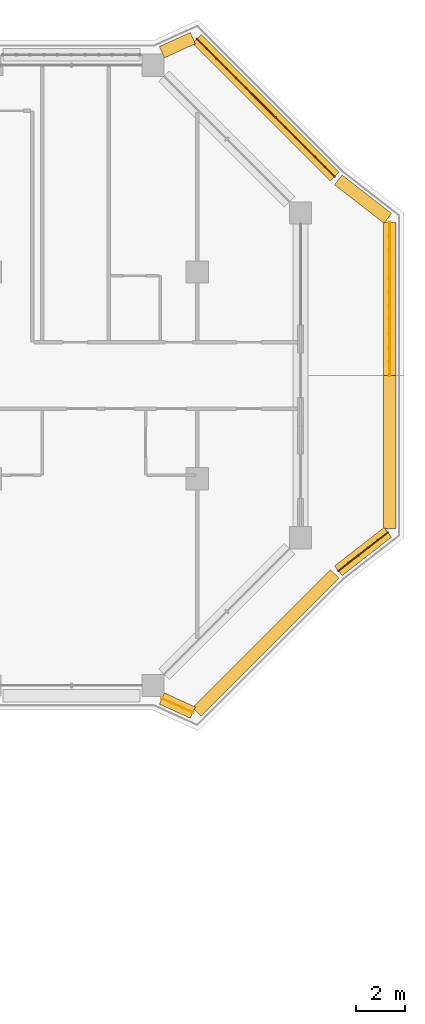
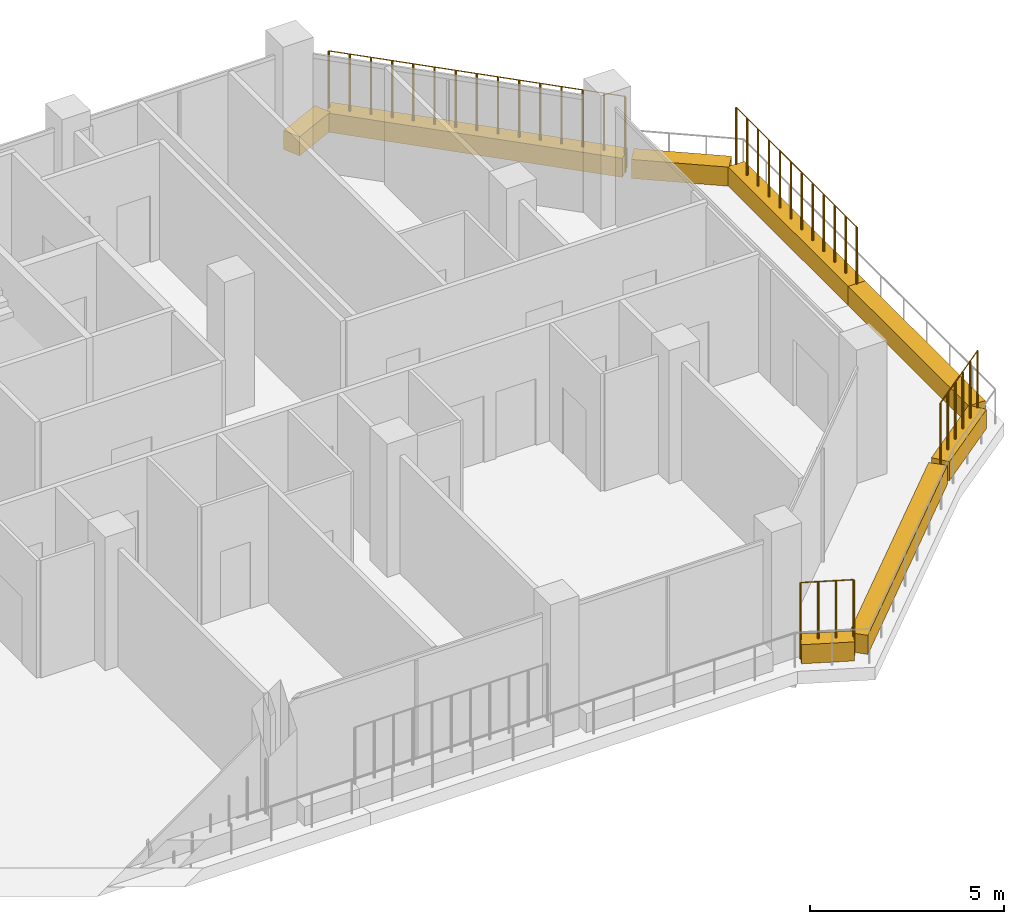
# One storey, part 23 of 23: 8 coverings, 4 railings.
"""IFC4 building model written with IfcOpenShell, lengths in metres."""

from ifc_helpers import new_model, si_unit, direction, frame, origin, origin_2d, place, context, subcontext, project, spatial, rectangle, circle, extrude, material, material_profile, profile_set, type_object, element, save


model = new_model("IFC4")

# Units and contexts
model_context = context("Model", 3, precision=1e-05, world=origin(), true_north=direction((0.0, 1.0)))
body_context = subcontext(model_context, "Body", "Model", "MODEL_VIEW")
ifc_project = project(units=[si_unit("LENGTHUNIT", "METRE"), si_unit("AREAUNIT", "SQUARE_METRE"), si_unit("VOLUMEUNIT", "CUBIC_METRE"), si_unit("PLANEANGLEUNIT", "RADIAN"), si_unit("MASSUNIT", "GRAM", prefix="KILO")], contexts=[model_context])

# Site, building, storey
site_placement = place(None, origin())
site = spatial("IfcSite", under=ifc_project, at=site_placement, CompositionType="ELEMENT")
building_placement = place(site_placement, origin())
building = spatial("IfcBuilding", under=site, at=building_placement, Name="Kawkab Arch Medical Tower", CompositionType="ELEMENT")
storey_placement = place(building_placement, frame((0.0, 0.0, 268.39990234375)))
storey = spatial("IfcBuildingStorey", under=building, at=storey_placement, Name="L62", CompositionType="ELEMENT", Elevation=268.39990234375)

# Coverings
ifc_material_1 = material(Name="Planting soil in a precast trough", Category="concrete")
ifc_material_profile = material_profile(ifc_material_1, rectangle(XDim=0.5, YDim=0.60009765625, at=origin_2d()), Name="Trough 500x600")
ifc_profile_set = profile_set([ifc_material_profile], Name="Planting soil in a precast trough")
covering_type = type_object("IfcCoveringType", Name="Planter trough 500 x 600", PredefinedType="USERDEFINED", material=ifc_profile_set)
covering_1_placement = place(storey_placement, frame((57.366943359375, 0.530029296875, 0.300048828125), z_axis=(0.909831953447, 0.41497688669, 0.0), x_axis=(-0.41497688669, 0.909831953447, 0.0)))
element("IfcCovering", 1, at=covering_1_placement, inside=storey, type_object=covering_type, Name="Planter L62.LOG-01-01.24", ObjectType="PLANTER", PredefinedType="USERDEFINED", context=body_context, shape_type="SweptSolid", body=[
    extrude(rectangle(XDim=0.5, YDim=0.60009765625, at=origin_2d()), origin(), (0.0, 0.0, 1.0), 1.37841796875),
])
covering_2_placement = place(storey_placement, frame((58.782958984375, 1.072998046875, 0.300048828125), z_axis=(0.707106781187, -0.707106781187, 0.0), x_axis=(0.707106781187, 0.707106781187, 0.0)))
element("IfcCovering", 2, at=covering_2_placement, inside=storey, type_object=covering_type, Name="Planter L62.LOG-01-01.25", ObjectType="PLANTER", PredefinedType="USERDEFINED", context=body_context, shape_type="SweptSolid", body=[
    extrude(rectangle(XDim=0.5, YDim=0.60009765625, at=origin_2d()), origin(), (0.0, 0.0, 1.0), 7.919677734375),
])
covering_3_placement = place(storey_placement, frame((64.531982421875, -4.658935546875, 0.300048828125), z_axis=(0.789274742246, -0.61404021143, 0.0), x_axis=(0.61404021143, 0.789274742246, 0.0)))
element("IfcCovering", 3, at=covering_3_placement, inside=storey, type_object=covering_type, Name="Planter L62.LOG-01-01.26", ObjectType="PLANTER", PredefinedType="USERDEFINED", context=body_context, shape_type="SweptSolid", body=[
    extrude(rectangle(XDim=0.5, YDim=0.60009765625, at=origin_2d()), origin(), (0.0, 0.0, 1.0), 2.54541015625),
])
covering_4_placement = place(storey_placement, frame((66.6201171875, -6.384033203125, 0.300048828125), z_axis=(0.0, -1.0, 0.0), x_axis=(1.0, 0.0, 0.0)))
element("IfcCovering", 4, at=covering_4_placement, inside=storey, type_object=covering_type, Name="Planter L62.LOG-01-01.27", ObjectType="PLANTER", PredefinedType="USERDEFINED", context=body_context, shape_type="SweptSolid", body=[
    extrude(rectangle(XDim=0.5, YDim=0.60009765625, at=origin_2d()), origin(), (0.0, 0.0, 1.0), 6.216064453125),
])
covering_5_placement = place(storey_placement, frame((66.6201171875, -12.60009765625, 0.300048828125), z_axis=(0.0, -1.0, 0.0), x_axis=(1.0, 0.0, 0.0)))
element("IfcCovering", 5, at=covering_5_placement, inside=storey, type_object=covering_type, Name="Planter L62.LOG-01-01.28", ObjectType="PLANTER", PredefinedType="USERDEFINED", context=body_context, shape_type="SweptSolid", body=[
    extrude(rectangle(XDim=0.5, YDim=0.60009765625, at=origin_2d()), origin(), (0.0, 0.0, 1.0), 6.2158203125),
])
covering_6_placement = place(storey_placement, frame((66.541015625, -18.97802734375, 0.300048828125), z_axis=(-0.789274742246, -0.61404021143, 0.0), x_axis=(0.61404021143, -0.789274742246, 0.0)))
element("IfcCovering", 6, at=covering_6_placement, inside=storey, type_object=covering_type, Name="Planter L62.LOG-01-01.29", ObjectType="PLANTER", PredefinedType="USERDEFINED", context=body_context, shape_type="SweptSolid", body=[
    extrude(rectangle(XDim=0.5, YDim=0.60009765625, at=origin_2d()), origin(), (0.0, 0.0, 1.0), 2.54541015625),
])
covering_7_placement = place(storey_placement, frame((64.383056640625, -20.673095703125, 0.300048828125), z_axis=(-0.70712219479, -0.707091367247, 0.0), x_axis=(0.707091367247, -0.70712219479, 0.0)))
element("IfcCovering", 7, at=covering_7_placement, inside=storey, type_object=covering_type, Name="Planter L62.LOG-01-01.30", ObjectType="PLANTER", PredefinedType="USERDEFINED", context=body_context, shape_type="SweptSolid", body=[
    extrude(rectangle(XDim=0.5, YDim=0.60009765625, at=origin_2d()), origin(), (0.0, 0.0, 1.0), 7.919677734375),
])
covering_8_placement = place(storey_placement, frame((58.62109375, -26.302001953125, 0.300048828125), z_axis=(-0.909831953447, 0.41497688669, 0.0), x_axis=(-0.41497688669, -0.909831953447, 0.0)))
element("IfcCovering", 8, at=covering_8_placement, inside=storey, type_object=covering_type, Name="Planter L62.LOG-01-01.31", ObjectType="PLANTER", PredefinedType="USERDEFINED", context=body_context, shape_type="SweptSolid", body=[
    extrude(rectangle(XDim=0.5, YDim=0.60009765625, at=origin_2d()), origin(), (0.0, 0.0, 1.0), 1.37841796875),
])

# Railings
ifc_material_2 = material(Name="Bronze anodised aluminium trellis for climbing plants", Category="aluminium")
railing_type = type_object("IfcRailingType", Name="Planting trellis 2400", PredefinedType="USERDEFINED", material=ifc_material_2)
railing_1_placement = place(storey_placement, frame((58.782958984375, 1.072998046875, 0.0)))
element("IfcRailing", 9, at=railing_1_placement, inside=storey, type_object=railing_type, Name="Planting trellis L62.LOG-01-01.25", ObjectType="TRELLIS", PredefinedType="USERDEFINED", context=body_context, shape_type="SweptSolid", body=[
    extrude(circle(Radius=0.01513671875, at=origin_2d()), frame((0.0, 0.0, 2.384765625), z_axis=(0.707106781187, -0.707106781187, 0.0), x_axis=(0.707106781187, 0.707106781187, 0.0)), (0.0, 0.0, 1.0), 7.919677734375),
    extrude(circle(Radius=0.030029296875, at=origin_2d()), origin(), (0.0, 0.0, 1.0), 2.369873046875),
    extrude(circle(Radius=0.030029296875, at=origin_2d()), frame((0.39990234375, -0.39990234375, 0.0)), (0.0, 0.0, 1.0), 2.369873046875),
    extrude(circle(Radius=0.030029296875, at=origin_2d()), frame((0.800048828125, -0.800048828125, 0.0)), (0.0, 0.0, 1.0), 2.369873046875),
    extrude(circle(Radius=0.030029296875, at=origin_2d()), frame((1.199951171875, -1.199951171875, 0.0)), (0.0, 0.0, 1.0), 2.369873046875),
    extrude(circle(Radius=0.030029296875, at=origin_2d()), frame((1.60009765625, -1.60009765625, 0.0)), (0.0, 0.0, 1.0), 2.369873046875),
    extrude(circle(Radius=0.030029296875, at=origin_2d()), frame((2.0, -2.0, 0.0)), (0.0, 0.0, 1.0), 2.369873046875),
    extrude(circle(Radius=0.030029296875, at=origin_2d()), frame((2.400146484375, -2.400146484375, 0.0)), (0.0, 0.0, 1.0), 2.369873046875),
    extrude(circle(Radius=0.030029296875, at=origin_2d()), frame((2.800048828125, -2.800048828125, 0.0)), (0.0, 0.0, 1.0), 2.369873046875),
    extrude(circle(Radius=0.030029296875, at=origin_2d()), frame((3.199951171875, -3.199951171875, 0.0)), (0.0, 0.0, 1.0), 2.369873046875),
    extrude(circle(Radius=0.030029296875, at=origin_2d()), frame((3.60009765625, -3.60009765625, 0.0)), (0.0, 0.0, 1.0), 2.369873046875),
    extrude(circle(Radius=0.030029296875, at=origin_2d()), frame((4.0, -4.0, 0.0)), (0.0, 0.0, 1.0), 2.369873046875),
    extrude(circle(Radius=0.030029296875, at=origin_2d()), frame((4.400146484375, -4.400146484375, 0.0)), (0.0, 0.0, 1.0), 2.369873046875),
    extrude(circle(Radius=0.030029296875, at=origin_2d()), frame((4.800048828125, -4.800048828125, 0.0)), (0.0, 0.0, 1.0), 2.369873046875),
    extrude(circle(Radius=0.030029296875, at=origin_2d()), frame((5.2001953125, -5.2001953125, 0.0)), (0.0, 0.0, 1.0), 2.369873046875),
    extrude(circle(Radius=0.030029296875, at=origin_2d()), frame((5.60009765625, -5.60009765625, 0.0)), (0.0, 0.0, 1.0), 2.369873046875),
])
railing_2_placement = place(storey_placement, frame((66.6201171875, -6.384033203125, 0.0)))
element("IfcRailing", 10, at=railing_2_placement, inside=storey, type_object=railing_type, Name="Planting trellis L62.LOG-01-01.27", ObjectType="TRELLIS", PredefinedType="USERDEFINED", context=body_context, shape_type="SweptSolid", body=[
    extrude(circle(Radius=0.01513671875, at=origin_2d()), frame((0.0, 0.0, 2.384765625), z_axis=(0.0, -1.0, 0.0), x_axis=(1.0, 0.0, 0.0)), (0.0, 0.0, 1.0), 6.216064453125),
    extrude(circle(Radius=0.030029296875, at=origin_2d()), origin(), (0.0, 0.0, 1.0), 2.369873046875),
    extrude(circle(Radius=0.030029296875, at=origin_2d()), frame((0.0, -0.565185546875, 0.0)), (0.0, 0.0, 1.0), 2.369873046875),
    extrude(circle(Radius=0.030029296875, at=origin_2d()), frame((0.0, -1.130126953125, 0.0)), (0.0, 0.0, 1.0), 2.369873046875),
    extrude(circle(Radius=0.030029296875, at=origin_2d()), frame((0.0, -1.6953125, 0.0)), (0.0, 0.0, 1.0), 2.369873046875),
    extrude(circle(Radius=0.030029296875, at=origin_2d()), frame((0.0, -2.260498046875, 0.0)), (0.0, 0.0, 1.0), 2.369873046875),
    extrude(circle(Radius=0.030029296875, at=origin_2d()), frame((0.0, -2.825439453125, 0.0)), (0.0, 0.0, 1.0), 2.369873046875),
    extrude(circle(Radius=0.030029296875, at=origin_2d()), frame((0.0, -3.390625, 0.0)), (0.0, 0.0, 1.0), 2.369873046875),
    extrude(circle(Radius=0.030029296875, at=origin_2d()), frame((0.0, -3.95556640625, 0.0)), (0.0, 0.0, 1.0), 2.369873046875),
    extrude(circle(Radius=0.030029296875, at=origin_2d()), frame((0.0, -4.520751953125, 0.0)), (0.0, 0.0, 1.0), 2.369873046875),
    extrude(circle(Radius=0.030029296875, at=origin_2d()), frame((0.0, -5.0859375, 0.0)), (0.0, 0.0, 1.0), 2.369873046875),
    extrude(circle(Radius=0.030029296875, at=origin_2d()), frame((0.0, -5.65087890625, 0.0)), (0.0, 0.0, 1.0), 2.369873046875),
    extrude(circle(Radius=0.030029296875, at=origin_2d()), frame((0.0, -6.216064453125, 0.0)), (0.0, 0.0, 1.0), 2.369873046875),
])
railing_3_placement = place(storey_placement, frame((66.541015625, -18.97802734375, 0.0)))
element("IfcRailing", 11, at=railing_3_placement, inside=storey, type_object=railing_type, Name="Planting trellis L62.LOG-01-01.29", ObjectType="TRELLIS", PredefinedType="USERDEFINED", context=body_context, shape_type="SweptSolid", body=[
    extrude(circle(Radius=0.01513671875, at=origin_2d()), frame((0.0, 0.0, 2.384765625), z_axis=(-0.789274742246, -0.61404021143, 0.0), x_axis=(0.61404021143, -0.789274742246, 0.0)), (0.0, 0.0, 1.0), 2.54541015625),
    extrude(circle(Radius=0.030029296875, at=origin_2d()), origin(), (0.0, 0.0, 1.0), 2.369873046875),
    extrude(circle(Radius=0.030029296875, at=origin_2d()), frame((-0.40185546875, -0.3125, 0.0)), (0.0, 0.0, 1.0), 2.369873046875),
    extrude(circle(Radius=0.030029296875, at=origin_2d()), frame((-0.8037109375, -0.625244140625, 0.0)), (0.0, 0.0, 1.0), 2.369873046875),
    extrude(circle(Radius=0.030029296875, at=origin_2d()), frame((-1.205322265625, -0.937744140625, 0.0)), (0.0, 0.0, 1.0), 2.369873046875),
    extrude(circle(Radius=0.030029296875, at=origin_2d()), frame((-1.607177734375, -1.25048828125, 0.0)), (0.0, 0.0, 1.0), 2.369873046875),
    extrude(circle(Radius=0.030029296875, at=origin_2d()), frame((-2.009033203125, -1.56298828125, 0.0)), (0.0, 0.0, 1.0), 2.369873046875),
])
railing_4_placement = place(storey_placement, frame((58.62109375, -26.302001953125, 0.0)))
element("IfcRailing", 12, at=railing_4_placement, inside=storey, type_object=railing_type, Name="Planting trellis L62.LOG-01-01.31", ObjectType="TRELLIS", PredefinedType="USERDEFINED", context=body_context, shape_type="SweptSolid", body=[
    extrude(circle(Radius=0.01513671875, at=origin_2d()), frame((0.0, 0.0, 2.384765625), z_axis=(-0.909831953447, 0.41497688669, 0.0), x_axis=(-0.41497688669, -0.909831953447, 0.0)), (0.0, 0.0, 1.0), 1.37841796875),
    extrude(circle(Radius=0.030029296875, at=origin_2d()), origin(), (0.0, 0.0, 1.0), 2.369873046875),
    extrude(circle(Radius=0.030029296875, at=origin_2d()), frame((-0.41796875, 0.190673828125, 0.0)), (0.0, 0.0, 1.0), 2.369873046875),
    extrude(circle(Radius=0.030029296875, at=origin_2d()), frame((-0.836181640625, 0.38134765625, 0.0)), (0.0, 0.0, 1.0), 2.369873046875),
    extrude(circle(Radius=0.030029296875, at=origin_2d()), frame((-1.254150390625, 0.572021484375, 0.0)), (0.0, 0.0, 1.0), 2.369873046875),
])

save(model, "model.ifc")
